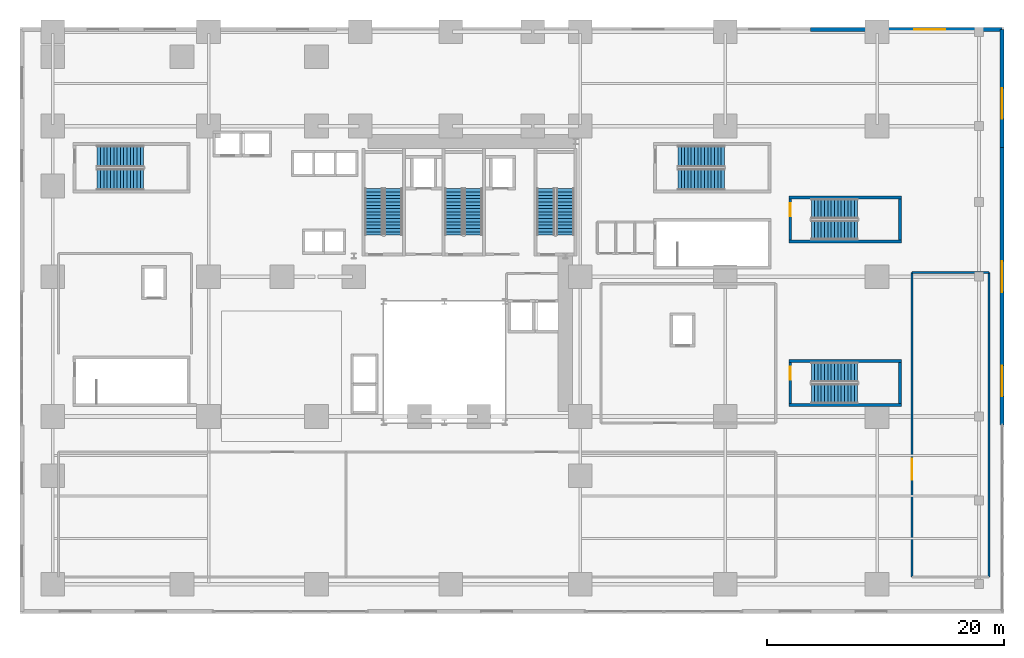
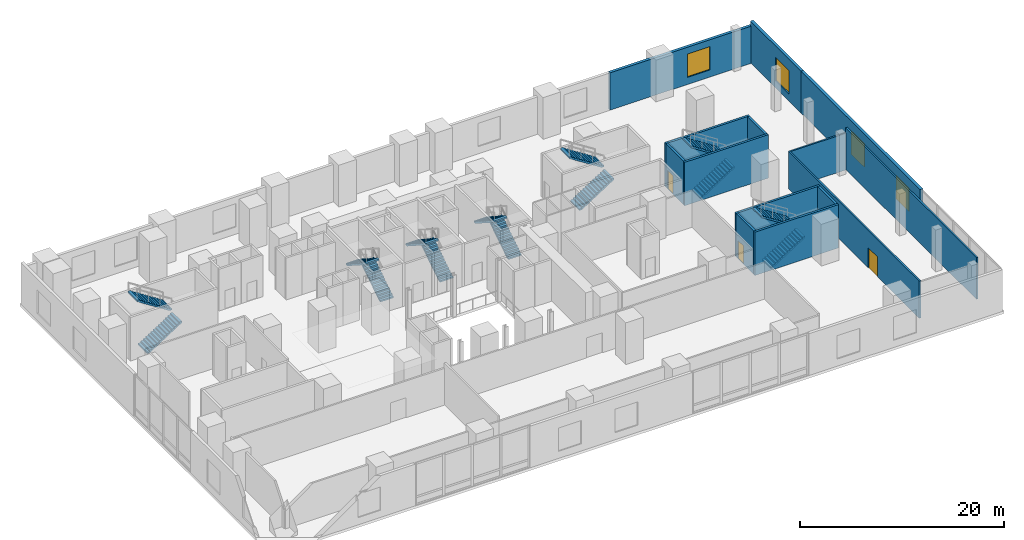
# One storey, part 11 of 15: 14 stair flights, 14 walls, 4 windows, 3 doors, 7 openings, 7 elements without a shape of their own.
"""IFC4 building model written with IfcOpenShell, lengths in metres."""

from ifc_helpers import new_model, si_unit, direction, frame, frame_2d, origin, place, context, subcontext, project, spatial, polyline, rectangle, outline, extrude, source, transform, mapped, material, layer, layer_set, type_object, element, fill, aggregate, save


model = new_model("IFC4")

# Units and contexts
model_context = context("Model", 3, precision=1e-05, world=origin(), true_north=direction((0.0, 1.0)))
body_context = subcontext(model_context, "Body", "Model", "MODEL_VIEW")
ifc_project = project(units=[si_unit("LENGTHUNIT", "METRE"), si_unit("AREAUNIT", "SQUARE_METRE"), si_unit("VOLUMEUNIT", "CUBIC_METRE"), si_unit("PLANEANGLEUNIT", "RADIAN"), si_unit("MASSUNIT", "GRAM", prefix="KILO")], contexts=[model_context])

# Site, building, storey
site_placement = place(None, origin())
site = spatial("IfcSite", under=ifc_project, at=site_placement, CompositionType="ELEMENT")
building_placement = place(site_placement, origin())
building = spatial("IfcBuilding", under=site, at=building_placement, Name="Vardaveli Station Tower", CompositionType="ELEMENT")
storey_placement = place(building_placement, frame((0.0, 0.0, 6.0)))
storey = spatial("IfcBuildingStorey", under=building, at=storey_placement, Name="L02", CompositionType="ELEMENT", Elevation=6.0)

# Wall, opening, window
ifc_material_1 = material(Name="Precast concrete C45/55", Category="concrete")
ifc_layer_1 = layer(ifc_material_1, 0.320068359375, Name="Precast concrete C45/55")
ifc_layer_set_1 = layer_set([ifc_layer_1], Name="Precast concrete C45/55")
wall_type_1 = type_object("IfcWallType", Name="WAL-EXT-STONE-320", PredefinedType="SOLIDWALL", material=ifc_layer_set_1)
shared_shape_1 = source(origin(), body_context, "Body", "SweptSolid", [
    extrude(rectangle(XDim=16.150146484375, YDim=0.320068359375, at=frame_2d((8.0751953125, 0.0))), origin(), (0.0, 0.0, 1.0), 4.470947265625),
])
wall_1_placement = place(storey_placement, frame((83.35009765625, 49.75, 0.0), z_axis=(0.0, 0.0, 1.0), x_axis=(-1.0, 0.0, 0.0)))
wall_1 = element("IfcWall", 1, at=wall_1_placement, inside=storey, type_object=wall_type_1, Name="EW-L02-N4", PredefinedType="SOLIDWALL", context=body_context, shape_type="MappedRepresentation", body=[
    mapped(shared_shape_1, transform((0.0, 0.0, 0.0), scale=1.0)),
])
shared_shape_2 = source(origin(), body_context, "Body", "SweptSolid", [
    extrude(rectangle(XDim=2.60009765625, YDim=2.800048828125, at=frame_2d((1.300048828125, 1.39990234375))), frame((0.0, 0.169921875, 0.0), z_axis=(0.0, -1.0, 0.0), x_axis=(1.0, 0.0, 0.0)), (0.0, 0.0, 1.0), 0.340087890625),
])
opening_1_placement = place(wall_1_placement, frame((4.800048828125, 0.0, 0.85009765625)))
opening_1 = element("IfcOpeningElement", 2, at=opening_1_placement, cuts=wall_1, Name="Opening W-02", PredefinedType="OPENING", context=body_context, shape_type="MappedRepresentation", body=[
    mapped(shared_shape_2, transform((0.0, 0.0, 0.0), scale=1.0)),
])
ifc_material_2 = material(Name="Low-E solar-control glass", Category="glass")
window_type = type_object("IfcWindowType", Name="WIN-POD-2600x2800", PartitioningType="SINGLE_PANEL", PredefinedType="WINDOW", material=ifc_material_2)
shared_shape_3 = source(origin(), body_context, "Body", "SweptSolid", [
    extrude(rectangle(XDim=2.60009765625, YDim=2.800048828125, at=frame_2d((1.300048828125, 1.39990234375))), frame((0.0, 0.030029296875, 0.0), z_axis=(0.0, -1.0, 0.0), x_axis=(1.0, 0.0, 0.0)), (0.0, 0.0, 1.0), 0.06005859375),
])
window_1_placement = place(opening_1_placement, origin())
window_1 = element("IfcWindow", 3, at=window_1_placement, inside=storey, type_object=window_type, Name="WN-L02-N4A", OverallHeight=2.800048828125, OverallWidth=2.60009765625, PartitioningType="SINGLE_PANEL", PredefinedType="WINDOW", context=body_context, shape_type="MappedRepresentation", body=[
    mapped(shared_shape_3, transform((0.0, 0.0, 0.0), scale=1.0)),
])
fill(opening_1, window_1)

# Wall, openings, windows
shared_shape_4 = source(origin(), body_context, "Body", "SweptSolid", [
    extrude(rectangle(XDim=23.400146484375, YDim=0.320068359375, at=frame_2d((11.7001953125, 0.0))), origin(), (0.0, 0.0, 1.0), 5.0),
])
wall_2_placement = place(storey_placement, frame((83.35009765625, 16.39990234375, 0.0), z_axis=(0.0, 0.0, 1.0), x_axis=(0.0, 1.0, 0.0)))
wall_2 = element("IfcWall", 4, at=wall_2_placement, inside=storey, type_object=wall_type_1, Name="EW-L02-E2", PredefinedType="SOLIDWALL", context=body_context, shape_type="MappedRepresentation", body=[
    mapped(shared_shape_4, transform((0.0, 0.0, 0.0), scale=1.0)),
])
opening_2_placement = place(wall_2_placement, frame((2.39990234375, 0.0, 0.85009765625)))
opening_2 = element("IfcOpeningElement", 5, at=opening_2_placement, cuts=wall_2, Name="Opening W-02", PredefinedType="OPENING", context=body_context, shape_type="MappedRepresentation", body=[
    mapped(shared_shape_2, transform((0.0, 0.0, 0.0), scale=1.0)),
])
opening_3_placement = place(wall_2_placement, frame((11.199951171875, 0.0, 0.85009765625)))
opening_3 = element("IfcOpeningElement", 6, at=opening_3_placement, cuts=wall_2, Name="Opening W-02", PredefinedType="OPENING", context=body_context, shape_type="MappedRepresentation", body=[
    mapped(shared_shape_2, transform((0.0, 0.0, 0.0), scale=1.0)),
])
window_2_placement = place(opening_2_placement, origin())
window_2 = element("IfcWindow", 7, at=window_2_placement, inside=storey, type_object=window_type, Name="WN-L02-E2A", OverallHeight=2.800048828125, OverallWidth=2.60009765625, PartitioningType="SINGLE_PANEL", PredefinedType="WINDOW", context=body_context, shape_type="MappedRepresentation", body=[
    mapped(shared_shape_3, transform((0.0, 0.0, 0.0), scale=1.0)),
])
fill(opening_2, window_2)
window_3_placement = place(opening_3_placement, origin())
window_3 = element("IfcWindow", 8, at=window_3_placement, inside=storey, type_object=window_type, Name="WN-L02-E2B", OverallHeight=2.800048828125, OverallWidth=2.60009765625, PartitioningType="SINGLE_PANEL", PredefinedType="WINDOW", context=body_context, shape_type="MappedRepresentation", body=[
    mapped(shared_shape_3, transform((0.0, 0.0, 0.0), scale=1.0)),
])
fill(opening_3, window_3)

# Wall, opening, window
shared_shape_5 = source(origin(), body_context, "Body", "SweptSolid", [
    extrude(rectangle(XDim=9.949951171875, YDim=0.320068359375, at=frame_2d((4.97509765625, 0.0))), origin(), (0.0, 0.0, 1.0), 5.0),
])
wall_3_placement = place(storey_placement, frame((83.35009765625, 39.800048828125, 0.0), z_axis=(0.0, 0.0, 1.0), x_axis=(0.0, 1.0, 0.0)))
wall_3 = element("IfcWall", 9, at=wall_3_placement, inside=storey, type_object=wall_type_1, Name="EW-L02-E3", PredefinedType="SOLIDWALL", context=body_context, shape_type="MappedRepresentation", body=[
    mapped(shared_shape_5, transform((0.0, 0.0, 0.0), scale=1.0)),
])
opening_4_placement = place(wall_3_placement, frame((2.39990234375, 0.0, 0.85009765625)))
opening_4 = element("IfcOpeningElement", 10, at=opening_4_placement, cuts=wall_3, Name="Opening W-02", PredefinedType="OPENING", context=body_context, shape_type="MappedRepresentation", body=[
    mapped(shared_shape_2, transform((0.0, 0.0, 0.0), scale=1.0)),
])
window_4_placement = place(opening_4_placement, origin())
window_4 = element("IfcWindow", 11, at=window_4_placement, inside=storey, type_object=window_type, Name="WN-L02-E3A", OverallHeight=2.800048828125, OverallWidth=2.60009765625, PartitioningType="SINGLE_PANEL", PredefinedType="WINDOW", context=body_context, shape_type="MappedRepresentation", body=[
    mapped(shared_shape_3, transform((0.0, 0.0, 0.0), scale=1.0)),
])
fill(opening_4, window_4)

# Walls
ifc_material_3 = material(Name="Concrete C40/50", Category="concrete")
ifc_layer_2 = layer(ifc_material_3, 0.25, Name="Concrete C40/50")
ifc_layer_set_2 = layer_set([ifc_layer_2], Name="Concrete C40/50")
wall_type_2 = type_object("IfcWallType", Name="WAL-SHAFT-250", PredefinedType="SOLIDWALL", material=ifc_layer_set_2)
shared_shape_6 = source(origin(), body_context, "Body", "SweptSolid", [
    extrude(rectangle(XDim=9.5, YDim=0.25, at=frame_2d((4.75, 0.0))), origin(), (0.0, 0.0, 1.0), 5.199951171875),
])
for number, where, z_axis, x_axis, name in (
    (12, (65.35009765625, 18.074951171875, 0.0), (0.0, 0.0, 1.0), (1.0, 0.0, 0.0), "W-L02-ST-C1S"),
    (13, (65.35009765625, 21.77490234375, 0.0), (0.0, 0.0, 1.0), (1.0, 0.0, 0.0), "W-L02-ST-C1N"),
    (14, (65.35009765625, 31.875, 0.0), (0.0, 0.0, 1.0), (1.0, 0.0, 0.0), "W-L02-ST-C2S"),
    (15, (65.35009765625, 35.574951171875, 0.0), (0.0, 0.0, 1.0), (1.0, 0.0, 0.0), "W-L02-ST-C2N"),
):
    element("IfcWall", number, at=place(storey_placement, frame(where, z_axis=z_axis, x_axis=x_axis)), inside=storey, type_object=wall_type_2, Name=name, PredefinedType="SOLIDWALL", context=body_context, shape_type="MappedRepresentation", body=[
        mapped(shared_shape_6, transform((0.0, 0.0, 0.0), scale=1.0)),
    ])
shared_shape_7 = source(origin(), body_context, "Body", "SweptSolid", [
    extrude(rectangle(XDim=3.449951171875, YDim=0.25, at=frame_2d((1.72509765625, 0.0))), origin(), (0.0, 0.0, 1.0), 5.199951171875),
])
wall_4_placement = place(storey_placement, frame((74.72509765625, 18.199951171875, 0.0), z_axis=(0.0, 0.0, 1.0), x_axis=(0.0, 1.0, 0.0)))
element("IfcWall", 16, at=wall_4_placement, inside=storey, type_object=wall_type_2, Name="W-L02-ST-C1E", PredefinedType="SOLIDWALL", context=body_context, shape_type="MappedRepresentation", body=[
    mapped(shared_shape_7, transform((0.0, 0.0, 0.0), scale=1.0)),
])

# Wall, opening, door
wall_5_placement = place(storey_placement, frame((65.47509765625, 18.199951171875, 0.0), z_axis=(0.0, 0.0, 1.0), x_axis=(0.0, 1.0, 0.0)))
wall_5 = element("IfcWall", 17, at=wall_5_placement, inside=storey, type_object=wall_type_2, Name="W-L02-ST-C1W", PredefinedType="SOLIDWALL", context=body_context, shape_type="MappedRepresentation", body=[
    mapped(shared_shape_7, transform((0.0, 0.0, 0.0), scale=1.0)),
])
shared_shape_8 = source(origin(), body_context, "Body", "SweptSolid", [
    extrude(rectangle(XDim=1.10009765625, YDim=2.199951171875, at=frame_2d((0.550048828125, 1.10009765625))), frame((0.0, 0.135009765625, 0.0), z_axis=(0.0, -1.0, 0.0), x_axis=(1.0, 0.0, 0.0)), (0.0, 0.0, 1.0), 0.27001953125),
])
opening_5_placement = place(wall_5_placement, frame((2.0, 0.0, 0.0)))
opening_5 = element("IfcOpeningElement", 18, at=opening_5_placement, cuts=wall_5, Name="Opening D-04", PredefinedType="OPENING", context=body_context, shape_type="MappedRepresentation", body=[
    mapped(shared_shape_8, transform((0.0, 0.0, 0.0), scale=1.0)),
])
ifc_material_4 = material(Name="Steel smokeproof fire doorset", Category="steel")
door_type_1 = type_object("IfcDoorType", Name="DR-ST-1100x2200", OperationType="NOTDEFINED", PredefinedType="DOOR", material=ifc_material_4)
shared_shape_9 = source(origin(), body_context, "Body", "SweptSolid", [
    extrude(rectangle(XDim=1.10009765625, YDim=2.199951171875, at=frame_2d((0.550048828125, 1.10009765625))), frame((0.0, 0.02490234375, 0.0), z_axis=(0.0, -1.0, 0.0), x_axis=(1.0, 0.0, 0.0)), (0.0, 0.0, 1.0), 0.050048828125),
])
door_1_placement = place(opening_5_placement, origin())
door_1 = element("IfcDoor", 19, at=door_1_placement, inside=storey, type_object=door_type_1, Name="DST-C1-L02", OperationType="SINGLE_SWING_RIGHT", OverallHeight=2.199951171875, OverallWidth=1.10009765625, PredefinedType="DOOR", context=body_context, shape_type="MappedRepresentation", body=[
    mapped(shared_shape_9, transform((0.0, 0.0, 0.0), scale=1.0)),
])
fill(opening_5, door_1)

# Wall
wall_6_placement = place(storey_placement, frame((74.72509765625, 32.0, 0.0), z_axis=(0.0, 0.0, 1.0), x_axis=(0.0, 1.0, 0.0)))
element("IfcWall", 20, at=wall_6_placement, inside=storey, type_object=wall_type_2, Name="W-L02-ST-C2E", PredefinedType="SOLIDWALL", context=body_context, shape_type="MappedRepresentation", body=[
    mapped(shared_shape_7, transform((0.0, 0.0, 0.0), scale=1.0)),
])

# Wall, opening, door
wall_7_placement = place(storey_placement, frame((65.47509765625, 32.0, 0.0), z_axis=(0.0, 0.0, 1.0), x_axis=(0.0, 1.0, 0.0)))
wall_7 = element("IfcWall", 21, at=wall_7_placement, inside=storey, type_object=wall_type_2, Name="W-L02-ST-C2W", PredefinedType="SOLIDWALL", context=body_context, shape_type="MappedRepresentation", body=[
    mapped(shared_shape_7, transform((0.0, 0.0, 0.0), scale=1.0)),
])
opening_6_placement = place(wall_7_placement, frame((2.0, 0.0, 0.0)))
opening_6 = element("IfcOpeningElement", 22, at=opening_6_placement, cuts=wall_7, Name="Opening D-04", PredefinedType="OPENING", context=body_context, shape_type="MappedRepresentation", body=[
    mapped(shared_shape_8, transform((0.0, 0.0, 0.0), scale=1.0)),
])
door_2_placement = place(opening_6_placement, origin())
door_2 = element("IfcDoor", 23, at=door_2_placement, inside=storey, type_object=door_type_1, Name="DST-C2-L02", OperationType="SINGLE_SWING_RIGHT", OverallHeight=2.199951171875, OverallWidth=1.10009765625, PredefinedType="DOOR", context=body_context, shape_type="MappedRepresentation", body=[
    mapped(shared_shape_9, transform((0.0, 0.0, 0.0), scale=1.0)),
])
fill(opening_6, door_2)

ifc_material_5 = material(Name="Fire-rated gypsum stud partition")
ifc_layer_3 = layer(ifc_material_5, 0.179931640625, Name="Fire-rated gypsum stud partition")
ifc_layer_set_3 = layer_set([ifc_layer_3], Name="Fire-rated gypsum stud partition")
wall_type_3 = type_object("IfcWallType", Name="WAL-CORR-180", PredefinedType="PARTITIONING", material=ifc_layer_set_3)
shared_shape_10 = source(origin(), body_context, "Body", "SweptSolid", [
    extrude(rectangle(XDim=25.699951171875, YDim=0.179931640625, at=frame_2d((12.85009765625, 0.0))), origin(), (0.0, 0.0, 1.0), 4.468017578125),
])
wall_8_placement = place(storey_placement, frame((75.75, 3.550048828125, 0.0), z_axis=(0.0, 0.0, 1.0), x_axis=(0.0, 1.0, 0.0)))
wall_8 = element("IfcWall", 24, at=wall_8_placement, inside=storey, type_object=wall_type_3, Name="W-L02-MN5-W", PredefinedType="PARTITIONING", context=body_context, shape_type="MappedRepresentation", body=[
    mapped(shared_shape_10, transform((0.0, 0.0, 0.0), scale=1.0)),
])
shared_shape_11 = source(origin(), body_context, "Body", "SweptSolid", [
    extrude(rectangle(XDim=1.800048828125, YDim=2.39990234375, at=frame_2d((0.89990234375, 1.199951171875))), frame((0.0, 0.10009765625, 0.0), z_axis=(0.0, -1.0, 0.0), x_axis=(1.0, 0.0, 0.0)), (0.0, 0.0, 1.0), 0.199951171875),
])
opening_7_placement = place(wall_8_placement, frame((8.199951171875, 0.0, 0.0)))
opening_7 = element("IfcOpeningElement", 25, at=opening_7_placement, cuts=wall_8, Name="Opening D-01", PredefinedType="OPENING", context=body_context, shape_type="MappedRepresentation", body=[
    mapped(shared_shape_11, transform((0.0, 0.0, 0.0), scale=1.0)),
])
ifc_material_6 = material(Name="Acoustic hardwood fire doorset", Category="wood")
door_type_2 = type_object("IfcDoorType", Name="DR-BALL-1800x2400", OperationType="DOUBLE_DOOR_SINGLE_SWING", PredefinedType="DOOR", material=ifc_material_6)
shared_shape_12 = source(origin(), body_context, "Body", "SweptSolid", [
    extrude(rectangle(XDim=1.800048828125, YDim=2.39990234375, at=frame_2d((0.89990234375, 1.199951171875))), frame((0.0, 0.02490234375, 0.0), z_axis=(0.0, -1.0, 0.0), x_axis=(1.0, 0.0, 0.0)), (0.0, 0.0, 1.0), 0.050048828125),
])
door_3_placement = place(opening_7_placement, origin())
door_3 = element("IfcDoor", 26, at=door_3_placement, inside=storey, type_object=door_type_2, Name="D-L02-5", OperationType="DOUBLE_DOOR_SINGLE_SWING", OverallHeight=2.39990234375, OverallWidth=1.800048828125, PredefinedType="DOOR", context=body_context, shape_type="MappedRepresentation", body=[
    mapped(shared_shape_12, transform((0.0, 0.0, 0.0), scale=1.0)),
])
fill(opening_7, door_3)

# Walls
shared_shape_13 = source(origin(), body_context, "Body", "SweptSolid", [
    extrude(rectangle(XDim=25.699951171875, YDim=0.179931640625, at=frame_2d((12.85009765625, 0.0))), origin(), (0.0, 0.0, 1.0), 5.0),
])
wall_9_placement = place(storey_placement, frame((82.25, 3.550048828125, 0.0), z_axis=(0.0, 0.0, 1.0), x_axis=(0.0, 1.0, 0.0)))
element("IfcWall", 27, at=wall_9_placement, inside=storey, type_object=wall_type_3, Name="W-L02-MN5-E", PredefinedType="PARTITIONING", context=body_context, shape_type="MappedRepresentation", body=[
    mapped(shared_shape_13, transform((0.0, 0.0, 0.0), scale=1.0)),
])
shared_shape_14 = source(origin(), body_context, "Body", "SweptSolid", [
    extrude(rectangle(XDim=6.5, YDim=0.179931640625, at=frame_2d((3.25, 0.0))), origin(), (0.0, 0.0, 1.0), 4.39208984375),
])
wall_10_placement = place(storey_placement, frame((75.75, 29.25, 0.0), z_axis=(0.0, 0.0, 1.0), x_axis=(1.0, 0.0, 0.0)))
element("IfcWall", 28, at=wall_10_placement, inside=storey, type_object=wall_type_3, Name="W-L02-MN5-N", PredefinedType="PARTITIONING", context=body_context, shape_type="MappedRepresentation", body=[
    mapped(shared_shape_14, transform((0.0, 0.0, 0.0), scale=1.0)),
])

# Stair, stair flights
stair_type_1 = type_object("IfcStairType", Name="STR-CORE-1500", PredefinedType="HALF_TURN_STAIR", material=ifc_material_3)
stair_1_placement = place(storey_placement, origin())
stair_1 = element("IfcStair", 29, at=stair_1_placement, inside=storey, type_object=stair_type_1, Name="L02 ST-1", PredefinedType="HALF_TURN_STAIR")
stair_flight_type_1 = type_object("IfcStairFlightType", Name="SFL-CORE-1500", PredefinedType="STRAIGHT", material=ifc_material_3)
shared_shape_15 = source(origin(), body_context, "Body", "SweptSolid", [
    extrude(outline(polyline([(0.0, 0.0), (0.0, 0.179931640625), (0.280029296875, 0.179931640625), (0.280029296875, 0.360107421875), (0.56005859375, 0.360107421875), (0.56005859375, 0.5400390625), (0.840087890625, 0.5400390625), (0.840087890625, 0.719970703125), (1.1201171875, 0.719970703125), (1.1201171875, 0.89990234375), (1.39990234375, 0.89990234375), (1.39990234375, 1.080078125), (1.679931640625, 1.080078125), (1.679931640625, 1.260009765625), (1.9599609375, 1.260009765625), (1.9599609375, 1.43994140625), (2.239990234375, 1.43994140625), (2.239990234375, 1.6201171875), (2.52001953125, 1.6201171875), (2.52001953125, 1.800048828125), (2.800048828125, 1.800048828125), (2.800048828125, 1.97998046875), (3.080078125, 1.97998046875), (3.080078125, 2.159912109375), (3.360107421875, 2.159912109375), (3.360107421875, 2.340087890625), (3.639892578125, 2.340087890625), (3.639892578125, 2.52001953125), (3.919921875, 2.52001953125), (3.919921875, 2.699951171875), (3.919921875, 2.341796875), (0.277099609375, 0.0), (0.0, 0.0)])), frame((0.0, 0.75, 0.0), z_axis=(0.0, -1.0, 0.0), x_axis=(1.0, 0.0, 0.0)), (0.0, 0.0, 1.0), 1.5),
])
stair_flight_1_placement = place(storey_placement, frame((32.0, 32.39990234375, 0.0), z_axis=(0.0, 0.0, 1.0), x_axis=(0.0, 1.0, 0.0)))
stair_flight_1 = element("IfcStairFlight", 30, at=stair_flight_1_placement, type_object=stair_flight_type_1, Name="ST-1 flight 1", NumberOfRisers=15, NumberOfTreads=14, PredefinedType="STRAIGHT", RiserHeight=0.18, TreadLength=0.28, context=body_context, shape_type="MappedRepresentation", body=[
    mapped(shared_shape_15, transform((0.0, 0.0, 0.0), scale=1.0)),
])
stair_flight_2_placement = place(storey_placement, frame((30.35009765625, 36.320068359375, 2.699951171875), z_axis=(0.0, 0.0, 1.0), x_axis=(0.0, -1.0, 0.0)))
stair_flight_2 = element("IfcStairFlight", 31, at=stair_flight_2_placement, type_object=stair_flight_type_1, Name="ST-1 flight 2", NumberOfRisers=15, NumberOfTreads=14, PredefinedType="STRAIGHT", RiserHeight=0.18, TreadLength=0.28, context=body_context, shape_type="MappedRepresentation", body=[
    mapped(shared_shape_15, transform((0.0, 0.0, 0.0), scale=1.0)),
])
aggregate(stair_1, [stair_flight_1, stair_flight_2])

stair_2_placement = place(storey_placement, origin())
stair_2 = element("IfcStair", 32, at=stair_2_placement, inside=storey, type_object=stair_type_1, Name="L02 ST-2", PredefinedType="HALF_TURN_STAIR")
stair_flight_3_placement = place(storey_placement, frame((38.75, 32.39990234375, 0.0), z_axis=(0.0, 0.0, 1.0), x_axis=(0.0, 1.0, 0.0)))
stair_flight_3 = element("IfcStairFlight", 33, at=stair_flight_3_placement, type_object=stair_flight_type_1, Name="ST-2 flight 1", NumberOfRisers=15, NumberOfTreads=14, PredefinedType="STRAIGHT", RiserHeight=0.18, TreadLength=0.28, context=body_context, shape_type="MappedRepresentation", body=[
    mapped(shared_shape_15, transform((0.0, 0.0, 0.0), scale=1.0)),
])
stair_flight_4_placement = place(storey_placement, frame((37.10009765625, 36.320068359375, 2.699951171875), z_axis=(0.0, 0.0, 1.0), x_axis=(0.0, -1.0, 0.0)))
stair_flight_4 = element("IfcStairFlight", 34, at=stair_flight_4_placement, type_object=stair_flight_type_1, Name="ST-2 flight 2", NumberOfRisers=15, NumberOfTreads=14, PredefinedType="STRAIGHT", RiserHeight=0.18, TreadLength=0.28, context=body_context, shape_type="MappedRepresentation", body=[
    mapped(shared_shape_15, transform((0.0, 0.0, 0.0), scale=1.0)),
])
aggregate(stair_2, [stair_flight_3, stair_flight_4])

stair_3_placement = place(storey_placement, origin())
stair_3 = element("IfcStair", 35, at=stair_3_placement, inside=storey, type_object=stair_type_1, Name="L02 ST-3", PredefinedType="HALF_TURN_STAIR")
stair_flight_5_placement = place(storey_placement, frame((46.5, 32.39990234375, 0.0), z_axis=(0.0, 0.0, 1.0), x_axis=(0.0, 1.0, 0.0)))
stair_flight_5 = element("IfcStairFlight", 36, at=stair_flight_5_placement, type_object=stair_flight_type_1, Name="ST-3 flight 1", NumberOfRisers=15, NumberOfTreads=14, PredefinedType="STRAIGHT", RiserHeight=0.18, TreadLength=0.28, context=body_context, shape_type="MappedRepresentation", body=[
    mapped(shared_shape_15, transform((0.0, 0.0, 0.0), scale=1.0)),
])
stair_flight_6_placement = place(storey_placement, frame((44.85009765625, 36.320068359375, 2.699951171875), z_axis=(0.0, 0.0, 1.0), x_axis=(0.0, -1.0, 0.0)))
stair_flight_6 = element("IfcStairFlight", 37, at=stair_flight_6_placement, type_object=stair_flight_type_1, Name="ST-3 flight 2", NumberOfRisers=15, NumberOfTreads=14, PredefinedType="STRAIGHT", RiserHeight=0.18, TreadLength=0.28, context=body_context, shape_type="MappedRepresentation", body=[
    mapped(shared_shape_15, transform((0.0, 0.0, 0.0), scale=1.0)),
])
aggregate(stair_3, [stair_flight_5, stair_flight_6])

stair_type_2 = type_object("IfcStairType", Name="STR-POD-1800", PredefinedType="HALF_TURN_STAIR", material=ifc_material_3)
stair_4_placement = place(storey_placement, origin())
stair_4 = element("IfcStair", 38, at=stair_4_placement, inside=storey, type_object=stair_type_2, Name="L02 ST-P1", PredefinedType="HALF_TURN_STAIR")
stair_flight_type_2 = type_object("IfcStairFlightType", Name="SFL-POD-1800", PredefinedType="STRAIGHT", material=ifc_material_3)
shared_shape_16 = source(origin(), body_context, "Body", "SweptSolid", [
    extrude(outline(polyline([(0.0, 0.0), (0.0, 0.179931640625), (0.280029296875, 0.179931640625), (0.280029296875, 0.360107421875), (0.56005859375, 0.360107421875), (0.56005859375, 0.5400390625), (0.840087890625, 0.5400390625), (0.840087890625, 0.719970703125), (1.1201171875, 0.719970703125), (1.1201171875, 0.89990234375), (1.39990234375, 0.89990234375), (1.39990234375, 1.080078125), (1.679931640625, 1.080078125), (1.679931640625, 1.260009765625), (1.9599609375, 1.260009765625), (1.9599609375, 1.43994140625), (2.239990234375, 1.43994140625), (2.239990234375, 1.6201171875), (2.52001953125, 1.6201171875), (2.52001953125, 1.800048828125), (2.800048828125, 1.800048828125), (2.800048828125, 1.97998046875), (3.080078125, 1.97998046875), (3.080078125, 2.159912109375), (3.360107421875, 2.159912109375), (3.360107421875, 2.340087890625), (3.639892578125, 2.340087890625), (3.639892578125, 2.52001953125), (3.919921875, 2.52001953125), (3.919921875, 2.699951171875), (3.919921875, 2.341796875), (0.277099609375, 0.0), (0.0, 0.0)])), frame((0.0, 0.89990234375, 0.0), z_axis=(0.0, -1.0, 0.0), x_axis=(1.0, 0.0, 0.0)), (0.0, 0.0, 1.0), 1.800048828125),
])
stair_flight_7_placement = place(storey_placement, frame((7.0, 37.10009765625, 0.0), z_axis=(0.0, 0.0, 1.0), x_axis=(1.0, 0.0, 0.0)))
stair_flight_7 = element("IfcStairFlight", 39, at=stair_flight_7_placement, type_object=stair_flight_type_2, Name="ST-P1 flight 1", NumberOfRisers=15, NumberOfTreads=14, PredefinedType="STRAIGHT", RiserHeight=0.18, TreadLength=0.28, context=body_context, shape_type="MappedRepresentation", body=[
    mapped(shared_shape_16, transform((0.0, 0.0, 0.0), scale=1.0)),
])
stair_flight_8_placement = place(storey_placement, frame((10.919921875, 39.050048828125, 2.699951171875), z_axis=(0.0, 0.0, 1.0), x_axis=(-1.0, 0.0, 0.0)))
stair_flight_8 = element("IfcStairFlight", 40, at=stair_flight_8_placement, type_object=stair_flight_type_2, Name="ST-P1 flight 2", NumberOfRisers=15, NumberOfTreads=14, PredefinedType="STRAIGHT", RiserHeight=0.18, TreadLength=0.28, context=body_context, shape_type="MappedRepresentation", body=[
    mapped(shared_shape_16, transform((0.0, 0.0, 0.0), scale=1.0)),
])
aggregate(stair_4, [stair_flight_7, stair_flight_8])

stair_5_placement = place(storey_placement, origin())
stair_5 = element("IfcStair", 41, at=stair_5_placement, inside=storey, type_object=stair_type_2, Name="L02 ST-P2", PredefinedType="HALF_TURN_STAIR")
stair_flight_9_placement = place(storey_placement, frame((56.0, 37.10009765625, 0.0), z_axis=(0.0, 0.0, 1.0), x_axis=(1.0, 0.0, 0.0)))
stair_flight_9 = element("IfcStairFlight", 42, at=stair_flight_9_placement, type_object=stair_flight_type_2, Name="ST-P2 flight 1", NumberOfRisers=15, NumberOfTreads=14, PredefinedType="STRAIGHT", RiserHeight=0.18, TreadLength=0.28, context=body_context, shape_type="MappedRepresentation", body=[
    mapped(shared_shape_16, transform((0.0, 0.0, 0.0), scale=1.0)),
])
stair_flight_10_placement = place(storey_placement, frame((59.919921875, 39.050048828125, 2.699951171875), z_axis=(0.0, 0.0, 1.0), x_axis=(-1.0, 0.0, 0.0)))
stair_flight_10 = element("IfcStairFlight", 43, at=stair_flight_10_placement, type_object=stair_flight_type_2, Name="ST-P2 flight 2", NumberOfRisers=15, NumberOfTreads=14, PredefinedType="STRAIGHT", RiserHeight=0.18, TreadLength=0.28, context=body_context, shape_type="MappedRepresentation", body=[
    mapped(shared_shape_16, transform((0.0, 0.0, 0.0), scale=1.0)),
])
aggregate(stair_5, [stair_flight_9, stair_flight_10])

ifc_material_7 = material(Name="Structural steel S355J2", Category="steel")
stair_type_3 = type_object("IfcStairType", Name="STR-FEAT-1650", PredefinedType="STRAIGHT_RUN_STAIR", material=ifc_material_7)
stair_6_placement = place(storey_placement, origin())
stair_6 = element("IfcStair", 44, at=stair_6_placement, inside=storey, type_object=stair_type_3, Name="L02 ST-C1", PredefinedType="HALF_TURN_STAIR")
stair_flight_type_3 = type_object("IfcStairFlightType", Name="SFL-FEAT-1650", PredefinedType="STRAIGHT", material=ifc_material_7)
shared_shape_17 = source(origin(), body_context, "Body", "SweptSolid", [
    extrude(outline(polyline([(0.0, 0.0), (0.0, 0.179931640625), (0.280029296875, 0.179931640625), (0.280029296875, 0.360107421875), (0.56005859375, 0.360107421875), (0.56005859375, 0.5400390625), (0.840087890625, 0.5400390625), (0.840087890625, 0.719970703125), (1.1201171875, 0.719970703125), (1.1201171875, 0.89990234375), (1.39990234375, 0.89990234375), (1.39990234375, 1.080078125), (1.679931640625, 1.080078125), (1.679931640625, 1.260009765625), (1.9599609375, 1.260009765625), (1.9599609375, 1.43994140625), (2.239990234375, 1.43994140625), (2.239990234375, 1.6201171875), (2.52001953125, 1.6201171875), (2.52001953125, 1.800048828125), (2.800048828125, 1.800048828125), (2.800048828125, 1.97998046875), (3.080078125, 1.97998046875), (3.080078125, 2.159912109375), (3.360107421875, 2.159912109375), (3.360107421875, 2.340087890625), (3.639892578125, 2.340087890625), (3.639892578125, 2.52001953125), (3.919921875, 2.52001953125), (3.919921875, 2.699951171875), (3.919921875, 2.341796875), (0.277099609375, 0.0), (0.0, 0.0)])), frame((0.0, 0.824951171875, 0.0), z_axis=(0.0, -1.0, 0.0), x_axis=(1.0, 0.0, 0.0)), (0.0, 0.0, 1.0), 1.64990234375),
])
stair_flight_11_placement = place(storey_placement, frame((67.25, 19.02490234375, 0.0), z_axis=(0.0, 0.0, 1.0), x_axis=(1.0, 0.0, 0.0)))
stair_flight_11 = element("IfcStairFlight", 45, at=stair_flight_11_placement, type_object=stair_flight_type_3, Name="ST-C1 flight 1", NumberOfRisers=15, NumberOfTreads=14, PredefinedType="STRAIGHT", RiserHeight=0.18, TreadLength=0.28, context=body_context, shape_type="MappedRepresentation", body=[
    mapped(shared_shape_17, transform((0.0, 0.0, 0.0), scale=1.0)),
])
stair_flight_12_placement = place(storey_placement, frame((71.169921875, 20.824951171875, 2.699951171875), z_axis=(0.0, 0.0, 1.0), x_axis=(-1.0, 0.0, 0.0)))
stair_flight_12 = element("IfcStairFlight", 46, at=stair_flight_12_placement, type_object=stair_flight_type_3, Name="ST-C1 flight 2", NumberOfRisers=15, NumberOfTreads=14, PredefinedType="STRAIGHT", RiserHeight=0.18, TreadLength=0.28, context=body_context, shape_type="MappedRepresentation", body=[
    mapped(shared_shape_17, transform((0.0, 0.0, 0.0), scale=1.0)),
])
aggregate(stair_6, [stair_flight_11, stair_flight_12])

stair_7_placement = place(storey_placement, origin())
stair_7 = element("IfcStair", 47, at=stair_7_placement, inside=storey, type_object=stair_type_3, Name="L02 ST-C2", PredefinedType="HALF_TURN_STAIR")
stair_flight_13_placement = place(storey_placement, frame((67.25, 32.824951171875, 0.0), z_axis=(0.0, 0.0, 1.0), x_axis=(1.0, 0.0, 0.0)))
stair_flight_13 = element("IfcStairFlight", 48, at=stair_flight_13_placement, type_object=stair_flight_type_3, Name="ST-C2 flight 1", NumberOfRisers=15, NumberOfTreads=14, PredefinedType="STRAIGHT", RiserHeight=0.18, TreadLength=0.28, context=body_context, shape_type="MappedRepresentation", body=[
    mapped(shared_shape_17, transform((0.0, 0.0, 0.0), scale=1.0)),
])
stair_flight_14_placement = place(storey_placement, frame((71.169921875, 34.625, 2.699951171875), z_axis=(0.0, 0.0, 1.0), x_axis=(-1.0, 0.0, 0.0)))
stair_flight_14 = element("IfcStairFlight", 49, at=stair_flight_14_placement, type_object=stair_flight_type_3, Name="ST-C2 flight 2", NumberOfRisers=15, NumberOfTreads=14, PredefinedType="STRAIGHT", RiserHeight=0.18, TreadLength=0.28, context=body_context, shape_type="MappedRepresentation", body=[
    mapped(shared_shape_17, transform((0.0, 0.0, 0.0), scale=1.0)),
])
aggregate(stair_7, [stair_flight_13, stair_flight_14])

save(model, "model.ifc")
